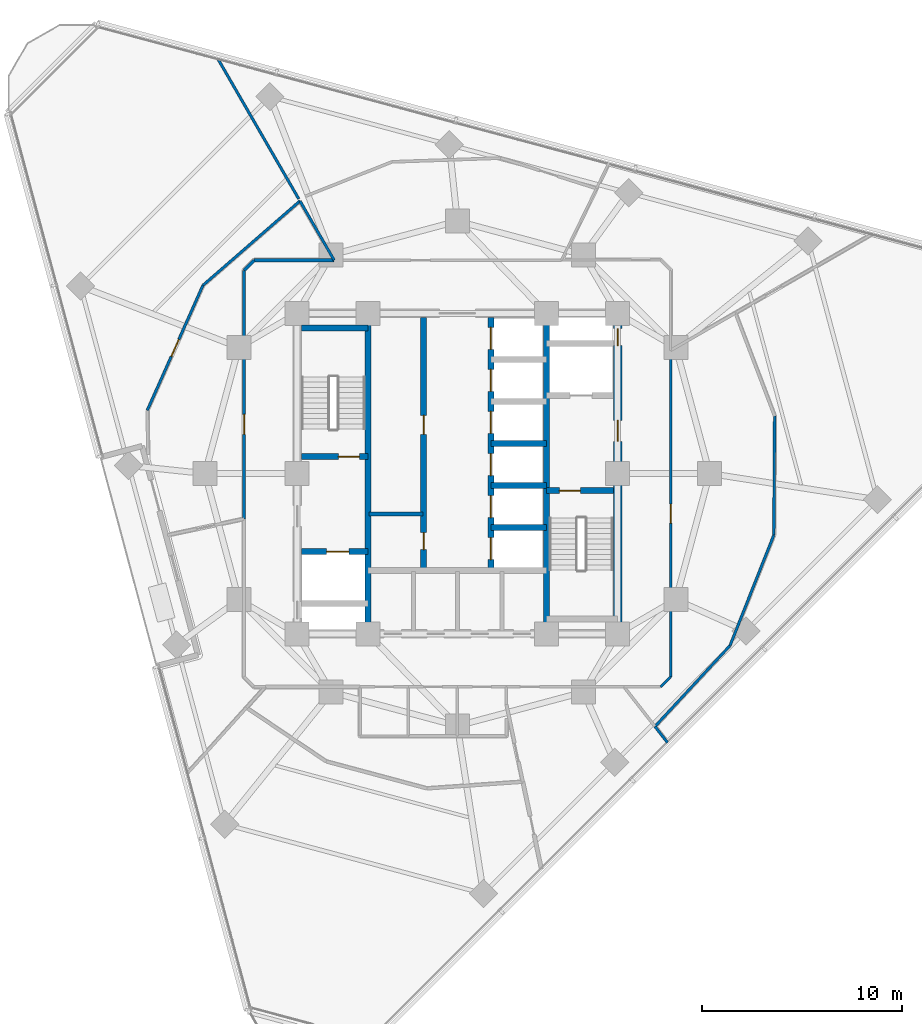
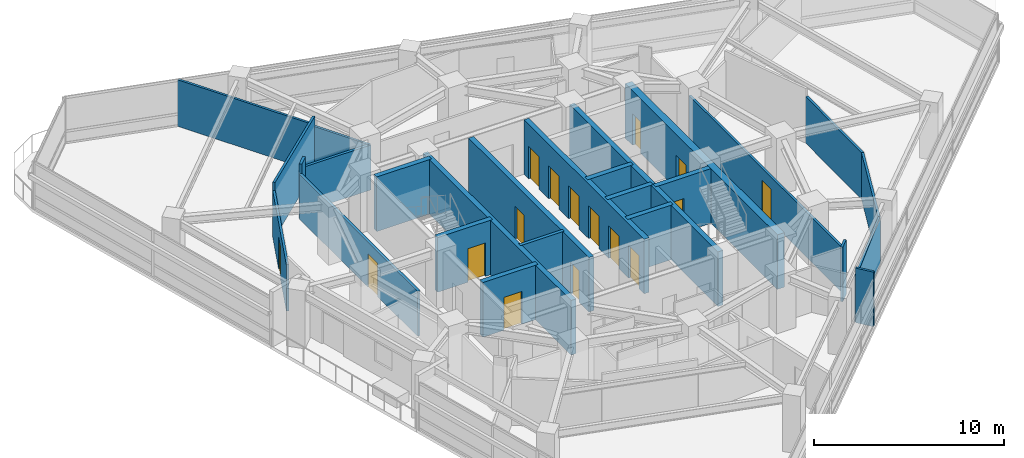
# One storey, part 8 of 14: 26 walls, 16 doors, 16 openings.
"""IFC4 building model written with IfcOpenShell, lengths in metres."""

from ifc_helpers import new_model, si_unit, direction, frame, frame_2d, origin, place, context, subcontext, project, spatial, rectangle, extrude, material, layer, layer_set, type_object, element, fill, save


model = new_model("IFC4")

# Units and contexts
model_context = context("Model", 3, precision=1e-05, world=origin(), true_north=direction((0.0, 1.0)))
body_context = subcontext(model_context, "Body", "Model", "MODEL_VIEW")
ifc_project = project(units=[si_unit("LENGTHUNIT", "METRE"), si_unit("AREAUNIT", "SQUARE_METRE"), si_unit("VOLUMEUNIT", "CUBIC_METRE"), si_unit("PLANEANGLEUNIT", "RADIAN"), si_unit("MASSUNIT", "GRAM", prefix="KILO")], contexts=[model_context])

# Site, building, storey
site_placement = place(None, origin())
site = spatial("IfcSite", under=ifc_project, at=site_placement, CompositionType="ELEMENT")
building_placement = place(site_placement, origin())
building = spatial("IfcBuilding", under=site, at=building_placement, Name="Terralouvre Media Tower", CompositionType="ELEMENT")
storey_placement = place(building_placement, frame((0.0, 0.0, 206.39990234375)))
storey = spatial("IfcBuildingStorey", under=building, at=storey_placement, Name="L53", CompositionType="ELEMENT", Elevation=206.39990234375)

# Walls
ifc_material_1 = material(Name="Concrete C50/60", Category="concrete")
ifc_layer_1 = layer(ifc_material_1, 0.300048828125, Name="Core Internal Shaft Wall CW-300")
ifc_layer_set_1 = layer_set([ifc_layer_1], Name="Concrete C50/60")
wall_type_1 = type_object("IfcWallType", Name="Core Internal Shaft Wall CW-300", PredefinedType="SHEAR", material=ifc_layer_set_1)
for number, where, z_axis, x_axis, name in (
    (1, (-4.449951171875, -7.7900390625, 0.0), (0.0, 0.0, 1.0), (0.0, 1.0, 0.0), "L53 Core Shaft Wall SPW"),
    (2, (4.449951171875, -7.7900390625, 0.0), (0.0, 0.0, 1.0), (0.0, 1.0, 0.0), "L53 Core Shaft Wall SPE"),
):
    element("IfcWall", number, at=place(storey_placement, frame(where, z_axis=z_axis, x_axis=x_axis)), inside=storey, type_object=wall_type_1, Name=name, PredefinedType="SHEAR", context=body_context, shape_type="SweptSolid", body=[
        extrude(rectangle(XDim=15.580078125, YDim=0.300048828125, at=frame_2d((7.7900390625, 0.0))), origin(), (0.0, 0.0, 1.0), 3.5),
    ])

# Wall, opening, door
wall_1_placement = place(storey_placement, frame((-7.7900390625, 0.85009765625, 0.0), z_axis=(0.0, 0.0, 1.0), x_axis=(1.0, 0.0, 0.0)))
wall_1 = element("IfcWall", 3, at=wall_1_placement, inside=storey, type_object=wall_type_1, Name="L53 Core Shaft Wall ST1D", PredefinedType="SHEAR", context=body_context, shape_type="SweptSolid", body=[
    extrude(rectangle(XDim=3.340087890625, YDim=0.300048828125, at=frame_2d((1.669921875, 0.0))), origin(), (0.0, 0.0, 1.0), 3.5),
])
opening_1_placement = place(wall_1_placement, frame((1.85009765625, 0.0, 0.0)))
opening_1 = element("IfcOpeningElement", 4, at=opening_1_placement, cuts=wall_1, Name="Opening FD-01-105X215", PredefinedType="OPENING", context=body_context, shape_type="SweptSolid", body=[
    extrude(rectangle(XDim=1.050048828125, YDim=2.14990234375, at=frame_2d((0.52490234375, 1.074951171875))), frame((0.0, 0.159912109375, 0.0), z_axis=(0.0, -1.0, 0.0), x_axis=(1.0, 0.0, 0.0)), (0.0, 0.0, 1.0), 0.320068359375),
])
ifc_material_2 = material(Name="Galvanised steel fire-resisting leaf", Category="steel")
door_type_1 = type_object("IfcDoorType", Name="Stair and Firefighting Lobby Fire Door FD-01 (1050x2150)", OperationType="NOTDEFINED", PredefinedType="DOOR", material=ifc_material_2)
door_1_placement = place(opening_1_placement, origin())
door_1 = element("IfcDoor", 5, at=door_1_placement, inside=storey, type_object=door_type_1, Name="L53 ST-01 Exit Stair Door", OperationType="SINGLE_SWING_LEFT", OverallHeight=2.14990234375, OverallWidth=1.050048828125, PredefinedType="DOOR", context=body_context, shape_type="SweptSolid", body=[
    extrude(rectangle(XDim=1.050048828125, YDim=2.14990234375, at=frame_2d((0.52490234375, 1.074951171875))), frame((0.0, 0.02490234375, 0.0), z_axis=(0.0, -1.0, 0.0), x_axis=(1.0, 0.0, 0.0)), (0.0, 0.0, 1.0), 0.050048828125),
])
fill(opening_1, door_1)

# Wall
wall_2_placement = place(storey_placement, frame((-7.7900390625, 7.260009765625, 0.0), z_axis=(0.0, 0.0, 1.0), x_axis=(1.0, 0.0, 0.0)))
element("IfcWall", 6, at=wall_2_placement, inside=storey, type_object=wall_type_1, Name="L53 Core Shaft Wall ST1F", PredefinedType="SHEAR", context=body_context, shape_type="SweptSolid", body=[
    extrude(rectangle(XDim=3.340087890625, YDim=0.300048828125, at=frame_2d((1.669921875, 0.0))), origin(), (0.0, 0.0, 1.0), 3.5),
])

# Wall, opening, door
wall_3_placement = place(storey_placement, frame((4.449951171875, -0.85009765625, 0.0), z_axis=(0.0, 0.0, 1.0), x_axis=(1.0, 0.0, 0.0)))
wall_3 = element("IfcWall", 7, at=wall_3_placement, inside=storey, type_object=wall_type_1, Name="L53 Core Shaft Wall ST2D", PredefinedType="SHEAR", context=body_context, shape_type="SweptSolid", body=[
    extrude(rectangle(XDim=3.340087890625, YDim=0.300048828125, at=frame_2d((1.669921875, 0.0))), origin(), (0.0, 0.0, 1.0), 3.5),
])
opening_2_placement = place(wall_3_placement, frame((0.64990234375, 0.0, 0.0)))
opening_2 = element("IfcOpeningElement", 8, at=opening_2_placement, cuts=wall_3, Name="Opening FD-01-105X215", PredefinedType="OPENING", context=body_context, shape_type="SweptSolid", body=[
    extrude(rectangle(XDim=1.050048828125, YDim=2.14990234375, at=frame_2d((0.52490234375, 1.074951171875))), frame((0.0, 0.159912109375, 0.0), z_axis=(0.0, -1.0, 0.0), x_axis=(1.0, 0.0, 0.0)), (0.0, 0.0, 1.0), 0.320068359375),
])
door_2_placement = place(opening_2_placement, origin())
door_2 = element("IfcDoor", 9, at=door_2_placement, inside=storey, type_object=door_type_1, Name="L53 ST-02 Exit Stair Door", OperationType="SINGLE_SWING_RIGHT", OverallHeight=2.14990234375, OverallWidth=1.050048828125, PredefinedType="DOOR", context=body_context, shape_type="SweptSolid", body=[
    extrude(rectangle(XDim=1.050048828125, YDim=2.14990234375, at=frame_2d((0.52490234375, 1.074951171875))), frame((0.0, 0.02490234375, 0.0), z_axis=(0.0, -1.0, 0.0), x_axis=(1.0, 0.0, 0.0)), (0.0, 0.0, 1.0), 0.050048828125),
])
fill(opening_2, door_2)

wall_4_placement = place(storey_placement, frame((-7.7900390625, -3.89990234375, 0.0), z_axis=(0.0, 0.0, 1.0), x_axis=(1.0, 0.0, 0.0)))
wall_4 = element("IfcWall", 10, at=wall_4_placement, inside=storey, type_object=wall_type_1, Name="L53 Core Shaft Wall FF1N", PredefinedType="SHEAR", context=body_context, shape_type="SweptSolid", body=[
    extrude(rectangle(XDim=3.340087890625, YDim=0.300048828125, at=frame_2d((1.669921875, 0.0))), origin(), (0.0, 0.0, 1.0), 3.5),
])
opening_3_placement = place(wall_4_placement, frame((1.27001953125, 0.0, 0.0)))
opening_3 = element("IfcOpeningElement", 11, at=opening_3_placement, cuts=wall_4, Name="Opening LD-FF", PredefinedType="OPENING", context=body_context, shape_type="SweptSolid", body=[
    extrude(rectangle(XDim=1.10009765625, YDim=2.10009765625, at=frame_2d((0.550048828125, 1.050048828125))), frame((0.0, 0.159912109375, 0.0), z_axis=(0.0, -1.0, 0.0), x_axis=(1.0, 0.0, 0.0)), (0.0, 0.0, 1.0), 0.320068359375),
])
ifc_material_3 = material(Name="Stainless steel 316 handrail and balustrade", Category="steel")
door_type_2 = type_object("IfcDoorType", Name="Firefighting Lift Sliding Landing Door LD-FF", OperationType="SLIDING_TO_LEFT", PredefinedType="DOOR", material=ifc_material_3)
door_3_placement = place(opening_3_placement, origin())
door_3 = element("IfcDoor", 12, at=door_3_placement, inside=storey, type_object=door_type_2, Name="L53 Firefighting Lift FFL-01 Landing Door", OperationType="SLIDING_TO_LEFT", OverallHeight=2.10009765625, OverallWidth=1.10009765625, PredefinedType="DOOR", context=body_context, shape_type="SweptSolid", body=[
    extrude(rectangle(XDim=1.10009765625, YDim=2.10009765625, at=frame_2d((0.550048828125, 1.050048828125))), frame((0.0, 0.02490234375, 0.0), z_axis=(0.0, -1.0, 0.0), x_axis=(1.0, 0.0, 0.0)), (0.0, 0.0, 1.0), 0.050048828125),
])
fill(opening_3, door_3)

# Wall, openings, doors
wall_5_placement = place(storey_placement, frame((-1.679931640625, -4.85009765625, 0.0), z_axis=(0.0, 0.0, 1.0), x_axis=(0.0, 1.0, 0.0)))
wall_5 = element("IfcWall", 13, at=wall_5_placement, inside=storey, type_object=wall_type_1, Name="L53 Core Shaft Wall LBW", PredefinedType="SHEAR", context=body_context, shape_type="SweptSolid", body=[
    extrude(rectangle(XDim=12.64013671875, YDim=0.300048828125, at=frame_2d((6.320068359375, 0.0))), origin(), (0.0, 0.0, 1.0), 3.5),
])
opening_4_placement = place(wall_5_placement, frame((1.050048828125, 0.0, 0.0)))
opening_4 = element("IfcOpeningElement", 14, at=opening_4_placement, cuts=wall_5, Name="Opening TD-R1", PredefinedType="OPENING", context=body_context, shape_type="SweptSolid", body=[
    extrude(rectangle(XDim=0.85009765625, YDim=2.02001953125, at=frame_2d((0.425048828125, 1.010009765625))), frame((0.0, 0.159912109375, 0.0), z_axis=(0.0, -1.0, 0.0), x_axis=(1.0, 0.0, 0.0)), (0.0, 0.0, 1.0), 0.320068359375),
])
opening_5_placement = place(wall_5_placement, frame((6.800048828125, 0.0, 0.0)))
opening_5 = element("IfcOpeningElement", 15, at=opening_5_placement, cuts=wall_5, Name="Opening FD-02-95X210", PredefinedType="OPENING", context=body_context, shape_type="SweptSolid", body=[
    extrude(rectangle(XDim=0.949951171875, YDim=2.10009765625, at=frame_2d((0.47509765625, 1.050048828125))), frame((0.0, 0.159912109375, 0.0), z_axis=(0.0, -1.0, 0.0), x_axis=(1.0, 0.0, 0.0)), (0.0, 0.0, 1.0), 0.320068359375),
])
ifc_material_4 = material(Name="Galvanised steel fire-resisting leaf", Category="steel")
door_type_3 = type_object("IfcDoorType", Name="Plant and Riser Fire Door FD-02 (950x2100)", OperationType="NOTDEFINED", PredefinedType="DOOR", material=ifc_material_4)
door_4_placement = place(opening_5_placement, origin())
door_4 = element("IfcDoor", 16, at=door_4_placement, inside=storey, type_object=door_type_3, Name="L53 Core Patch Rack Plant Door", OperationType="SINGLE_SWING_RIGHT", OverallHeight=2.10009765625, OverallWidth=0.949951171875, PredefinedType="DOOR", context=body_context, shape_type="SweptSolid", body=[
    extrude(rectangle(XDim=0.949951171875, YDim=2.10009765625, at=frame_2d((0.47509765625, 1.050048828125))), frame((0.0, 0.02490234375, 0.0), z_axis=(0.0, -1.0, 0.0), x_axis=(1.0, 0.0, 0.0)), (0.0, 0.0, 1.0), 0.050048828125),
])
fill(opening_5, door_4)
ifc_material_5 = material(Name="Galvanised steel fire-resisting leaf", Category="steel")
door_type_4 = type_object("IfcDoorType", Name="Riser Inspection Access Trapdoor TD-R1", OperationType="NOTDEFINED", PredefinedType="TRAPDOOR", material=ifc_material_5)
door_5_placement = place(opening_4_placement, origin())
door_5 = element("IfcDoor", 17, at=door_5_placement, inside=storey, type_object=door_type_4, Name="L53 Core Cleaners Store Door", OperationType="SINGLE_SWING_LEFT", OverallHeight=2.02001953125, OverallWidth=0.85009765625, PredefinedType="TRAPDOOR", context=body_context, shape_type="SweptSolid", body=[
    extrude(rectangle(XDim=0.85009765625, YDim=2.02001953125, at=frame_2d((0.425048828125, 1.010009765625))), frame((0.0, 0.02490234375, 0.0), z_axis=(0.0, -1.0, 0.0), x_axis=(1.0, 0.0, 0.0)), (0.0, 0.0, 1.0), 0.050048828125),
])
fill(opening_4, door_5)

wall_6_placement = place(storey_placement, frame((1.679931640625, -4.85009765625, 0.0), z_axis=(0.0, 0.0, 1.0), x_axis=(0.0, 1.0, 0.0)))
wall_6 = element("IfcWall", 18, at=wall_6_placement, inside=storey, type_object=wall_type_1, Name="L53 Core Shaft Wall LBE", PredefinedType="SHEAR", context=body_context, shape_type="SweptSolid", body=[
    extrude(rectangle(XDim=12.64013671875, YDim=0.300048828125, at=frame_2d((6.320068359375, 0.0))), origin(), (0.0, 0.0, 1.0), 3.5),
])
opening_6_placement = place(wall_6_placement, frame((0.550048828125, 0.0, 0.0)))
opening_6 = element("IfcOpeningElement", 19, at=opening_6_placement, cuts=wall_6, Name="Opening LD-PL", PredefinedType="OPENING", context=body_context, shape_type="SweptSolid", body=[
    extrude(rectangle(XDim=1.10009765625, YDim=2.10009765625, at=frame_2d((0.550048828125, 1.050048828125))), frame((0.0, 0.159912109375, 0.0), z_axis=(0.0, -1.0, 0.0), x_axis=(1.0, 0.0, 0.0)), (0.0, 0.0, 1.0), 0.320068359375),
])
opening_7_placement = place(wall_6_placement, frame((2.64990234375, 0.0, 0.0)))
opening_7 = element("IfcOpeningElement", 20, at=opening_7_placement, cuts=wall_6, Name="Opening LD-PL", PredefinedType="OPENING", context=body_context, shape_type="SweptSolid", body=[
    extrude(rectangle(XDim=1.10009765625, YDim=2.10009765625, at=frame_2d((0.550048828125, 1.050048828125))), frame((0.0, 0.159912109375, 0.0), z_axis=(0.0, -1.0, 0.0), x_axis=(1.0, 0.0, 0.0)), (0.0, 0.0, 1.0), 0.320068359375),
])
opening_8_placement = place(wall_6_placement, frame((4.75, 0.0, 0.0)))
opening_8 = element("IfcOpeningElement", 21, at=opening_8_placement, cuts=wall_6, Name="Opening LD-PL", PredefinedType="OPENING", context=body_context, shape_type="SweptSolid", body=[
    extrude(rectangle(XDim=1.10009765625, YDim=2.10009765625, at=frame_2d((0.550048828125, 1.050048828125))), frame((0.0, 0.159912109375, 0.0), z_axis=(0.0, -1.0, 0.0), x_axis=(1.0, 0.0, 0.0)), (0.0, 0.0, 1.0), 0.320068359375),
])
opening_9_placement = place(wall_6_placement, frame((6.85009765625, 0.0, 0.0)))
opening_9 = element("IfcOpeningElement", 22, at=opening_9_placement, cuts=wall_6, Name="Opening LD-PL", PredefinedType="OPENING", context=body_context, shape_type="SweptSolid", body=[
    extrude(rectangle(XDim=1.10009765625, YDim=2.10009765625, at=frame_2d((0.550048828125, 1.050048828125))), frame((0.0, 0.159912109375, 0.0), z_axis=(0.0, -1.0, 0.0), x_axis=(1.0, 0.0, 0.0)), (0.0, 0.0, 1.0), 0.320068359375),
])
opening_10_placement = place(wall_6_placement, frame((8.949951171875, 0.0, 0.0)))
opening_10 = element("IfcOpeningElement", 23, at=opening_10_placement, cuts=wall_6, Name="Opening LD-PL", PredefinedType="OPENING", context=body_context, shape_type="SweptSolid", body=[
    extrude(rectangle(XDim=1.10009765625, YDim=2.10009765625, at=frame_2d((0.550048828125, 1.050048828125))), frame((0.0, 0.159912109375, 0.0), z_axis=(0.0, -1.0, 0.0), x_axis=(1.0, 0.0, 0.0)), (0.0, 0.0, 1.0), 0.320068359375),
])
opening_11_placement = place(wall_6_placement, frame((11.050048828125, 0.0, 0.0)))
opening_11 = element("IfcOpeningElement", 24, at=opening_11_placement, cuts=wall_6, Name="Opening LD-PL", PredefinedType="OPENING", context=body_context, shape_type="SweptSolid", body=[
    extrude(rectangle(XDim=1.10009765625, YDim=2.10009765625, at=frame_2d((0.550048828125, 1.050048828125))), frame((0.0, 0.159912109375, 0.0), z_axis=(0.0, -1.0, 0.0), x_axis=(1.0, 0.0, 0.0)), (0.0, 0.0, 1.0), 0.320068359375),
])
ifc_material_6 = material(Name="Stainless steel 316 handrail and balustrade", Category="steel")
door_type_5 = type_object("IfcDoorType", Name="Passenger Lift Sliding Landing Door LD-PL", OperationType="SLIDING_TO_LEFT", PredefinedType="DOOR", material=ifc_material_6)
door_6_placement = place(opening_6_placement, origin())
door_6 = element("IfcDoor", 25, at=door_6_placement, inside=storey, type_object=door_type_5, Name="L53 High-Rise Lift PL-H1 Landing Door", OperationType="SLIDING_TO_LEFT", OverallHeight=2.10009765625, OverallWidth=1.10009765625, PredefinedType="DOOR", context=body_context, shape_type="SweptSolid", body=[
    extrude(rectangle(XDim=1.10009765625, YDim=2.10009765625, at=frame_2d((0.550048828125, 1.050048828125))), frame((0.0, 0.02490234375, 0.0), z_axis=(0.0, -1.0, 0.0), x_axis=(1.0, 0.0, 0.0)), (0.0, 0.0, 1.0), 0.050048828125),
])
fill(opening_6, door_6)
door_7_placement = place(opening_7_placement, origin())
door_7 = element("IfcDoor", 26, at=door_7_placement, inside=storey, type_object=door_type_5, Name="L53 High-Rise Lift PL-H2 Landing Door", OperationType="SLIDING_TO_LEFT", OverallHeight=2.10009765625, OverallWidth=1.10009765625, PredefinedType="DOOR", context=body_context, shape_type="SweptSolid", body=[
    extrude(rectangle(XDim=1.10009765625, YDim=2.10009765625, at=frame_2d((0.550048828125, 1.050048828125))), frame((0.0, 0.02490234375, 0.0), z_axis=(0.0, -1.0, 0.0), x_axis=(1.0, 0.0, 0.0)), (0.0, 0.0, 1.0), 0.050048828125),
])
fill(opening_7, door_7)
door_8_placement = place(opening_8_placement, origin())
door_8 = element("IfcDoor", 27, at=door_8_placement, inside=storey, type_object=door_type_5, Name="L53 High-Rise Lift PL-H3 Landing Door", OperationType="SLIDING_TO_LEFT", OverallHeight=2.10009765625, OverallWidth=1.10009765625, PredefinedType="DOOR", context=body_context, shape_type="SweptSolid", body=[
    extrude(rectangle(XDim=1.10009765625, YDim=2.10009765625, at=frame_2d((0.550048828125, 1.050048828125))), frame((0.0, 0.02490234375, 0.0), z_axis=(0.0, -1.0, 0.0), x_axis=(1.0, 0.0, 0.0)), (0.0, 0.0, 1.0), 0.050048828125),
])
fill(opening_8, door_8)
door_9_placement = place(opening_9_placement, origin())
door_9 = element("IfcDoor", 28, at=door_9_placement, inside=storey, type_object=door_type_5, Name="L53 Mid-Rise Lift PL-M1 Landing Door", OperationType="SLIDING_TO_LEFT", OverallHeight=2.10009765625, OverallWidth=1.10009765625, PredefinedType="DOOR", context=body_context, shape_type="SweptSolid", body=[
    extrude(rectangle(XDim=1.10009765625, YDim=2.10009765625, at=frame_2d((0.550048828125, 1.050048828125))), frame((0.0, 0.02490234375, 0.0), z_axis=(0.0, -1.0, 0.0), x_axis=(1.0, 0.0, 0.0)), (0.0, 0.0, 1.0), 0.050048828125),
])
fill(opening_9, door_9)
door_10_placement = place(opening_10_placement, origin())
door_10 = element("IfcDoor", 29, at=door_10_placement, inside=storey, type_object=door_type_5, Name="L53 Mid-Rise Lift PL-M2 Landing Door", OperationType="SLIDING_TO_LEFT", OverallHeight=2.10009765625, OverallWidth=1.10009765625, PredefinedType="DOOR", context=body_context, shape_type="SweptSolid", body=[
    extrude(rectangle(XDim=1.10009765625, YDim=2.10009765625, at=frame_2d((0.550048828125, 1.050048828125))), frame((0.0, 0.02490234375, 0.0), z_axis=(0.0, -1.0, 0.0), x_axis=(1.0, 0.0, 0.0)), (0.0, 0.0, 1.0), 0.050048828125),
])
fill(opening_10, door_10)
door_11_placement = place(opening_11_placement, origin())
door_11 = element("IfcDoor", 30, at=door_11_placement, inside=storey, type_object=door_type_5, Name="L53 Mid-Rise Lift PL-M3 Landing Door", OperationType="SLIDING_TO_LEFT", OverallHeight=2.10009765625, OverallWidth=1.10009765625, PredefinedType="DOOR", context=body_context, shape_type="SweptSolid", body=[
    extrude(rectangle(XDim=1.10009765625, YDim=2.10009765625, at=frame_2d((0.550048828125, 1.050048828125))), frame((0.0, 0.02490234375, 0.0), z_axis=(0.0, -1.0, 0.0), x_axis=(1.0, 0.0, 0.0)), (0.0, 0.0, 1.0), 0.050048828125),
])
fill(opening_11, door_11)

# Walls
for number, where, z_axis, x_axis, name in (
    (31, (1.679931640625, 1.5, 0.0), (0.0, 0.0, 1.0), (1.0, 0.0, 0.0), "L53 Core Shaft Wall PLMD0"),
    (32, (1.679931640625, -2.699951171875, 0.0), (0.0, 0.0, 1.0), (1.0, 0.0, 0.0), "L53 Core Shaft Wall PLHD1"),
    (33, (1.679931640625, -0.60009765625, 0.0), (0.0, 0.0, 1.0), (1.0, 0.0, 0.0), "L53 Core Shaft Wall PLHD2"),
):
    element("IfcWall", number, at=place(storey_placement, frame(where, z_axis=z_axis, x_axis=x_axis)), inside=storey, type_object=wall_type_1, Name=name, PredefinedType="SHEAR", context=body_context, shape_type="SweptSolid", body=[
        extrude(rectangle(XDim=2.77001953125, YDim=0.300048828125, at=frame_2d((1.385009765625, 0.0))), origin(), (0.0, 0.0, 1.0), 3.5),
    ])

# Wall, openings, doors
ifc_material_7 = material(Name="Concrete C60/75", Category="concrete")
ifc_layer_2 = layer(ifc_material_7, 0.419921875, Name="Core Reinforced Concrete Shear Wall CW-420")
ifc_layer_set_2 = layer_set([ifc_layer_2], Name="Concrete C60/75")
wall_type_2 = type_object("IfcWallType", Name="Core Reinforced Concrete Shear Wall CW-420", PredefinedType="SHEAR", material=ifc_layer_set_2)
wall_7_placement = place(storey_placement, frame((8.0, -8.0, 0.0), z_axis=(0.0, 0.0, 1.0), x_axis=(0.0, 1.0, 0.0)))
wall_7 = element("IfcWall", 34, at=wall_7_placement, inside=storey, type_object=wall_type_2, Name="L53 E Core Shear Wall", PredefinedType="SHEAR", context=body_context, shape_type="SweptSolid", body=[
    extrude(rectangle(XDim=16.0, YDim=0.419921875, at=frame_2d((8.0, 0.0))), origin(), (0.0, 0.0, 1.0), 3.5),
])
opening_12_placement = place(wall_7_placement, frame((9.60009765625, 0.0, 0.0)))
opening_12 = element("IfcOpeningElement", 35, at=opening_12_placement, cuts=wall_7, Name="Opening FD-01-105X215", PredefinedType="OPENING", context=body_context, shape_type="SweptSolid", body=[
    extrude(rectangle(XDim=1.050048828125, YDim=2.14990234375, at=frame_2d((0.52490234375, 1.074951171875))), frame((0.0, 0.219970703125, 0.0), z_axis=(0.0, -1.0, 0.0), x_axis=(1.0, 0.0, 0.0)), (0.0, 0.0, 1.0), 0.43994140625),
])
opening_13_placement = place(wall_7_placement, frame((14.388671875, 0.0, 0.0)))
opening_13 = element("IfcOpeningElement", 36, at=opening_13_placement, cuts=wall_7, Name="Opening TD-R1", PredefinedType="OPENING", context=body_context, shape_type="SweptSolid", body=[
    extrude(rectangle(XDim=0.85009765625, YDim=2.02001953125, at=frame_2d((0.425048828125, 1.010009765625))), frame((0.0, 0.219970703125, 0.0), z_axis=(0.0, -1.0, 0.0), x_axis=(1.0, 0.0, 0.0)), (0.0, 0.0, 1.0), 0.43994140625),
])
door_12_placement = place(opening_13_placement, origin())
door_12 = element("IfcDoor", 37, at=door_12_placement, inside=storey, type_object=door_type_4, Name="L53 East Comms Riser Access Trapdoor", OperationType="SINGLE_SWING_RIGHT", OverallHeight=2.02001953125, OverallWidth=0.85009765625, PredefinedType="TRAPDOOR", context=body_context, shape_type="SweptSolid", body=[
    extrude(rectangle(XDim=0.85009765625, YDim=2.02001953125, at=frame_2d((0.425048828125, 1.010009765625))), frame((0.0, 0.02490234375, 0.0), z_axis=(0.0, -1.0, 0.0), x_axis=(1.0, 0.0, 0.0)), (0.0, 0.0, 1.0), 0.050048828125),
])
fill(opening_13, door_12)
door_13_placement = place(opening_12_placement, origin())
door_13 = element("IfcDoor", 38, at=door_13_placement, inside=storey, type_object=door_type_1, Name="L53 East Firefighting Lobby Entry Door", OperationType="SINGLE_SWING_LEFT", OverallHeight=2.14990234375, OverallWidth=1.050048828125, PredefinedType="DOOR", context=body_context, shape_type="SweptSolid", body=[
    extrude(rectangle(XDim=1.050048828125, YDim=2.14990234375, at=frame_2d((0.52490234375, 1.074951171875))), frame((0.0, 0.02490234375, 0.0), z_axis=(0.0, -1.0, 0.0), x_axis=(1.0, 0.0, 0.0)), (0.0, 0.0, 1.0), 0.050048828125),
])
fill(opening_12, door_13)

# Walls
ifc_material_8 = material(Name="Fire-rated gypsum board drywall partition")
ifc_layer_3 = layer(ifc_material_8, 0.199951171875, Name="Fire-Rated Shaft and Lobby Partition FW-200")
ifc_layer_set_3 = layer_set([ifc_layer_3], Name="Fire-rated gypsum board drywall partition")
wall_type_3 = type_object("IfcWallType", Name="Fire-Rated Shaft and Lobby Partition FW-200", PredefinedType="SOLIDWALL", material=ifc_layer_set_3)
wall_8_placement = place(storey_placement, frame((-4.39990234375, -2.010009765625, 0.0), z_axis=(0.0, 0.0, 1.0), x_axis=(1.0, 0.0, 0.0)))
element("IfcWall", 39, at=wall_8_placement, inside=storey, type_object=wall_type_3, Name="L53 Core West Sub-Partition 1", PredefinedType="SOLIDWALL", context=body_context, shape_type="SweptSolid", body=[
    extrude(rectangle(XDim=2.679931640625, YDim=0.199951171875, at=frame_2d((1.33984375, 0.0))), origin(), (0.0, 0.0, 1.0), 3.5),
])
ifc_material_9 = material(Name="Fire-rated gypsum board drywall partition")
ifc_layer_4 = layer(ifc_material_9, 0.135009765625, Name="Newsroom Acoustic Partition PT-135")
ifc_layer_set_4 = layer_set([ifc_layer_4], Name="Fire-rated gypsum board drywall partition")
wall_type_4 = type_object("IfcWallType", Name="Newsroom Acoustic Partition PT-135", PredefinedType="PARTITIONING", material=ifc_layer_set_4)
wall_9_placement = place(storey_placement, frame((10.14990234375, -10.64990234375, 0.0), z_axis=(0.0, 0.0, 1.0), x_axis=(0.707106781187, 0.707106781187, 0.0)))
element("IfcWall", 40, at=wall_9_placement, inside=storey, type_object=wall_type_4, Name="L53 Interior Partition 010", PredefinedType="PARTITIONING", context=body_context, shape_type="SweptSolid", body=[
    extrude(rectangle(XDim=0.70703125, YDim=0.135009765625, at=frame_2d((0.353515625, 0.0))), origin(), (0.0, 0.0, 1.0), 3.5),
])

# Wall, opening, door
wall_10_placement = place(storey_placement, frame((10.64990234375, -10.14990234375, 0.0), z_axis=(0.0, 0.0, 1.0), x_axis=(0.0, 1.0, 0.0)))
wall_10 = element("IfcWall", 41, at=wall_10_placement, inside=storey, type_object=wall_type_4, Name="L53 Interior Partition 011", PredefinedType="PARTITIONING", context=body_context, shape_type="SweptSolid", body=[
    extrude(rectangle(XDim=16.298828125, YDim=0.135009765625, at=frame_2d((8.1494140625, 0.0))), origin(), (0.0, 0.0, 1.0), 2.885009765625),
])
opening_14_placement = place(wall_10_placement, frame((7.674560546875, 0.0, 0.0)))
opening_14 = element("IfcOpeningElement", 42, at=opening_14_placement, cuts=wall_10, Name="Opening ID-02-95X210", PredefinedType="OPENING", context=body_context, shape_type="SweptSolid", body=[
    extrude(rectangle(XDim=0.949951171875, YDim=2.10009765625, at=frame_2d((0.47509765625, 1.050048828125))), frame((0.0, 0.077392578125, 0.0), z_axis=(0.0, -1.0, 0.0), x_axis=(1.0, 0.0, 0.0)), (0.0, 0.0, 1.0), 0.155029296875),
])
ifc_material_10 = material(Name="Engineered hardwood acoustic timber leaf", Category="wood")
door_type_6 = type_object("IfcDoorType", Name="Office and Meeting Room Door ID-02 (950x2100)", OperationType="NOTDEFINED", PredefinedType="DOOR", material=ifc_material_10)
door_14_placement = place(opening_14_placement, origin())
door_14 = element("IfcDoor", 43, at=door_14_placement, inside=storey, type_object=door_type_6, Name="L53 Grading Client Lounge 5 Door", OperationType="SINGLE_SWING_RIGHT", OverallHeight=2.10009765625, OverallWidth=0.949951171875, PredefinedType="DOOR", context=body_context, shape_type="SweptSolid", body=[
    extrude(rectangle(XDim=0.949951171875, YDim=2.10009765625, at=frame_2d((0.47509765625, 1.050048828125))), frame((0.0, 0.02490234375, 0.0), z_axis=(0.0, -1.0, 0.0), x_axis=(1.0, 0.0, 0.0)), (0.0, 0.0, 1.0), 0.050048828125),
])
fill(opening_14, door_14)

# Walls
wall_11_placement = place(storey_placement, frame((10.496826171875, -13.435791015625, 0.0), z_axis=(0.0, 0.0, 1.0), x_axis=(-0.615343153806, 0.788259350128, 0.0)))
element("IfcWall", 44, at=wall_11_placement, inside=storey, type_object=wall_type_4, Name="L53 Interior Partition 036", PredefinedType="PARTITIONING", context=body_context, shape_type="SweptSolid", body=[
    extrude(rectangle(XDim=1.023681640625, YDim=0.135009765625, at=frame_2d((0.51171875, 0.0))), origin(), (0.0, 0.0, 1.0), 3.5),
])
wall_12_placement = place(storey_placement, frame((9.866943359375, -12.62890625, 0.0), z_axis=(0.0, 0.0, 1.0), x_axis=(0.680412009191, 0.732829787706, 0.0)))
element("IfcWall", 45, at=wall_12_placement, inside=storey, type_object=wall_type_4, Name="L53 Interior Partition 037", PredefinedType="PARTITIONING", context=body_context, shape_type="SweptSolid", body=[
    extrude(rectangle(XDim=5.510009765625, YDim=0.135009765625, at=frame_2d((2.7548828125, 0.0))), origin(), (0.0, 0.0, 1.0), 2.985107421875),
])
wall_13_placement = place(storey_placement, frame((13.615966796875, -8.591064453125, 0.0), z_axis=(0.0, 0.0, 1.0), x_axis=(0.368538720499, 0.929612398526, 0.0)))
element("IfcWall", 46, at=wall_13_placement, inside=storey, type_object=wall_type_4, Name="L53 Interior Partition 038", PredefinedType="PARTITIONING", context=body_context, shape_type="SweptSolid", body=[
    extrude(rectangle(XDim=5.93701171875, YDim=0.135009765625, at=frame_2d((2.968505859375, 0.0))), origin(), (0.0, 0.0, 1.0), 2.985107421875),
])
wall_14_placement = place(storey_placement, frame((15.803955078125, -3.072021484375, 0.0), z_axis=(0.0, 0.0, 1.0), x_axis=(0.006579346037, 0.999978355869, 0.0)))
element("IfcWall", 47, at=wall_14_placement, inside=storey, type_object=wall_type_4, Name="L53 Interior Partition 039", PredefinedType="PARTITIONING", context=body_context, shape_type="SweptSolid", body=[
    extrude(rectangle(XDim=5.937255859375, YDim=0.135009765625, at=frame_2d((2.96875, 0.0))), origin(), (0.0, 0.0, 1.0), 2.985107421875),
])
wall_15_placement = place(storey_placement, frame((-7.85693359375, 13.60888671875, 0.0), z_axis=(0.0, 0.0, 1.0), x_axis=(0.499920397431, -0.866071357471, 0.0)))
element("IfcWall", 48, at=wall_15_placement, inside=storey, type_object=wall_type_4, Name="L53 Interior Partition 048", PredefinedType="PARTITIONING", context=body_context, shape_type="SweptSolid", body=[
    extrude(rectangle(XDim=3.41650390625, YDim=0.135009765625, at=frame_2d((1.708251953125, 0.0))), origin(), (0.0, 0.0, 1.0), 2.885009765625),
])
wall_16_placement = place(storey_placement, frame((-11.966552734375, 20.726318359375, 0.0), z_axis=(0.0, 0.0, 1.0), x_axis=(0.499980770555, -0.866036505625, 0.0)))
element("IfcWall", 49, at=wall_16_placement, inside=storey, type_object=wall_type_4, Name="L53 Interior Partition 049", PredefinedType="PARTITIONING", context=body_context, shape_type="SweptSolid", body=[
    extrude(rectangle(XDim=8.099365234375, YDim=0.135009765625, at=frame_2d((4.0498046875, 0.0))), origin(), (0.0, 0.0, 1.0), 2.985107421875),
])

# Wall, opening, door
wall_17_placement = place(storey_placement, frame((-15.48291015625, 3.14990234375, 0.0), z_axis=(0.0, 0.0, 1.0), x_axis=(0.406757719511, 0.913536073518, 0.0)))
wall_17 = element("IfcWall", 50, at=wall_17_placement, inside=storey, type_object=wall_type_4, Name="L53 Interior Partition 051", PredefinedType="PARTITIONING", context=body_context, shape_type="SweptSolid", body=[
    extrude(rectangle(XDim=6.83935546875, YDim=0.135009765625, at=frame_2d((3.419677734375, 0.0))), origin(), (0.0, 0.0, 1.0), 2.985107421875),
])
opening_15_placement = place(wall_17_placement, frame((2.959716796875, 0.0, 0.0)))
opening_15 = element("IfcOpeningElement", 51, at=opening_15_placement, cuts=wall_17, Name="Opening ID-03-92X210", PredefinedType="OPENING", context=body_context, shape_type="SweptSolid", body=[
    extrude(rectangle(XDim=0.919921875, YDim=2.10009765625, at=frame_2d((0.4599609375, 1.050048828125))), frame((0.0, 0.077392578125, 0.0), z_axis=(0.0, -1.0, 0.0), x_axis=(1.0, 0.0, 0.0)), (0.0, 0.0, 1.0), 0.155029296875),
])
ifc_material_11 = material(Name="Engineered hardwood acoustic timber leaf", Category="wood")
door_type_7 = type_object("IfcDoorType", Name="Accessible Restroom and Suite Door ID-03 (920x2100)", OperationType="NOTDEFINED", PredefinedType="DOOR", material=ifc_material_11)
door_15_placement = place(opening_15_placement, origin())
door_15 = element("IfcDoor", 52, at=door_15_placement, inside=storey, type_object=door_type_7, Name="L53 Sound Transfer Closet 10 Door", OperationType="SINGLE_SWING_LEFT", OverallHeight=2.10009765625, OverallWidth=0.919921875, PredefinedType="DOOR", context=body_context, shape_type="SweptSolid", body=[
    extrude(rectangle(XDim=0.919921875, YDim=2.10009765625, at=frame_2d((0.4599609375, 1.050048828125))), frame((0.0, 0.02490234375, 0.0), z_axis=(0.0, -1.0, 0.0), x_axis=(1.0, 0.0, 0.0)), (0.0, 0.0, 1.0), 0.050048828125),
])
fill(opening_15, door_15)

# Walls
wall_18_placement = place(storey_placement, frame((-12.700927734375, 9.39794921875, 0.0), z_axis=(0.0, 0.0, 1.0), x_axis=(0.754700505452, 0.656069468174, 0.0)))
element("IfcWall", 53, at=wall_18_placement, inside=storey, type_object=wall_type_4, Name="L53 Interior Partition 052", PredefinedType="PARTITIONING", context=body_context, shape_type="SweptSolid", body=[
    extrude(rectangle(XDim=6.41845703125, YDim=0.135009765625, at=frame_2d((3.209228515625, 0.0))), origin(), (0.0, 0.0, 1.0), 3.5),
])
ifc_material_12 = material(Name="Fire-rated gypsum board drywall partition")
ifc_layer_5 = layer(ifc_material_12, 0.159912109375, Name="Studio Acoustic Rated Partition PT-160")
ifc_layer_set_5 = layer_set([ifc_layer_5], Name="Fire-rated gypsum board drywall partition")
wall_type_5 = type_object("IfcWallType", Name="Studio Acoustic Rated Partition PT-160", PredefinedType="PARTITIONING", material=ifc_layer_set_5)
wall_19_placement = place(storey_placement, frame((-6.14892578125, 10.64990234375, 0.0), z_axis=(0.0, 0.0, 1.0), x_axis=(-1.0, 0.0, 0.0)))
element("IfcWall", 54, at=wall_19_placement, inside=storey, type_object=wall_type_5, Name="L53 Interior Partition 016", PredefinedType="PARTITIONING", context=body_context, shape_type="SweptSolid", body=[
    extrude(rectangle(XDim=4.0009765625, YDim=0.159912109375, at=frame_2d((2.00048828125, 0.0))), origin(), (0.0, 0.0, 1.0), 2.885009765625),
])
wall_20_placement = place(storey_placement, frame((-10.14990234375, 10.64990234375, 0.0), z_axis=(0.0, 0.0, 1.0), x_axis=(-0.707106781187, -0.707106781187, 0.0)))
element("IfcWall", 55, at=wall_20_placement, inside=storey, type_object=wall_type_5, Name="L53 Interior Partition 017", PredefinedType="PARTITIONING", context=body_context, shape_type="SweptSolid", body=[
    extrude(rectangle(XDim=0.70703125, YDim=0.159912109375, at=frame_2d((0.353515625, 0.0))), origin(), (0.0, 0.0, 1.0), 3.5),
])

# Wall, opening, door
wall_21_placement = place(storey_placement, frame((-10.64990234375, 10.14990234375, 0.0), z_axis=(0.0, 0.0, 1.0), x_axis=(0.0, -1.0, 0.0)))
wall_21 = element("IfcWall", 56, at=wall_21_placement, inside=storey, type_object=wall_type_5, Name="L53 Interior Partition 018", PredefinedType="PARTITIONING", context=body_context, shape_type="SweptSolid", body=[
    extrude(rectangle(XDim=12.413818359375, YDim=0.159912109375, at=frame_2d((6.20703125, 0.0))), origin(), (0.0, 0.0, 1.0), 2.885009765625),
])
opening_16_placement = place(wall_21_placement, frame((7.19677734375, 0.0, 0.0)))
opening_16 = element("IfcOpeningElement", 57, at=opening_16_placement, cuts=wall_21, Name="Opening ID-01-100X215", PredefinedType="OPENING", context=body_context, shape_type="SweptSolid", body=[
    extrude(rectangle(XDim=1.0, YDim=2.14990234375, at=frame_2d((0.5, 1.074951171875))), frame((0.0, 0.08984375, 0.0), z_axis=(0.0, -1.0, 0.0), x_axis=(1.0, 0.0, 0.0)), (0.0, 0.0, 1.0), 0.179931640625),
])
ifc_material_13 = material(Name="Engineered hardwood acoustic timber leaf", Category="wood")
door_type_8 = type_object("IfcDoorType", Name="Broadcast Studio Acoustic Single Door ID-01 (1000x2150)", OperationType="NOTDEFINED", PredefinedType="DOOR", material=ifc_material_13)
door_16_placement = place(opening_16_placement, origin())
door_16 = element("IfcDoor", 58, at=door_16_placement, inside=storey, type_object=door_type_8, Name="L53 Dolby Preview Screening Cinema 11 Door", OperationType="SINGLE_SWING_LEFT", OverallHeight=2.14990234375, OverallWidth=1.0, PredefinedType="DOOR", context=body_context, shape_type="SweptSolid", body=[
    extrude(rectangle(XDim=1.0, YDim=2.14990234375, at=frame_2d((0.5, 1.074951171875))), frame((0.0, 0.02490234375, 0.0), z_axis=(0.0, -1.0, 0.0), x_axis=(1.0, 0.0, 0.0)), (0.0, 0.0, 1.0), 0.050048828125),
])
fill(opening_16, door_16)

save(model, "model.ifc")
